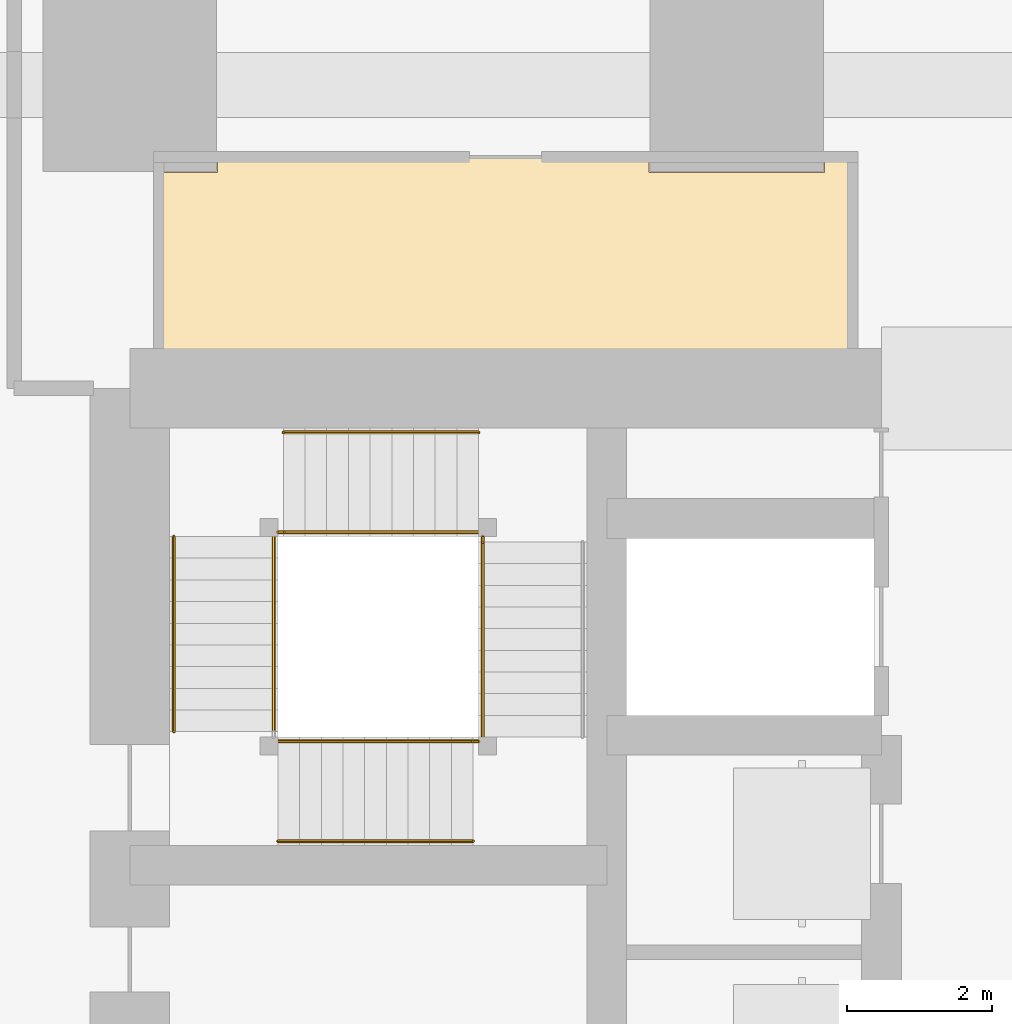
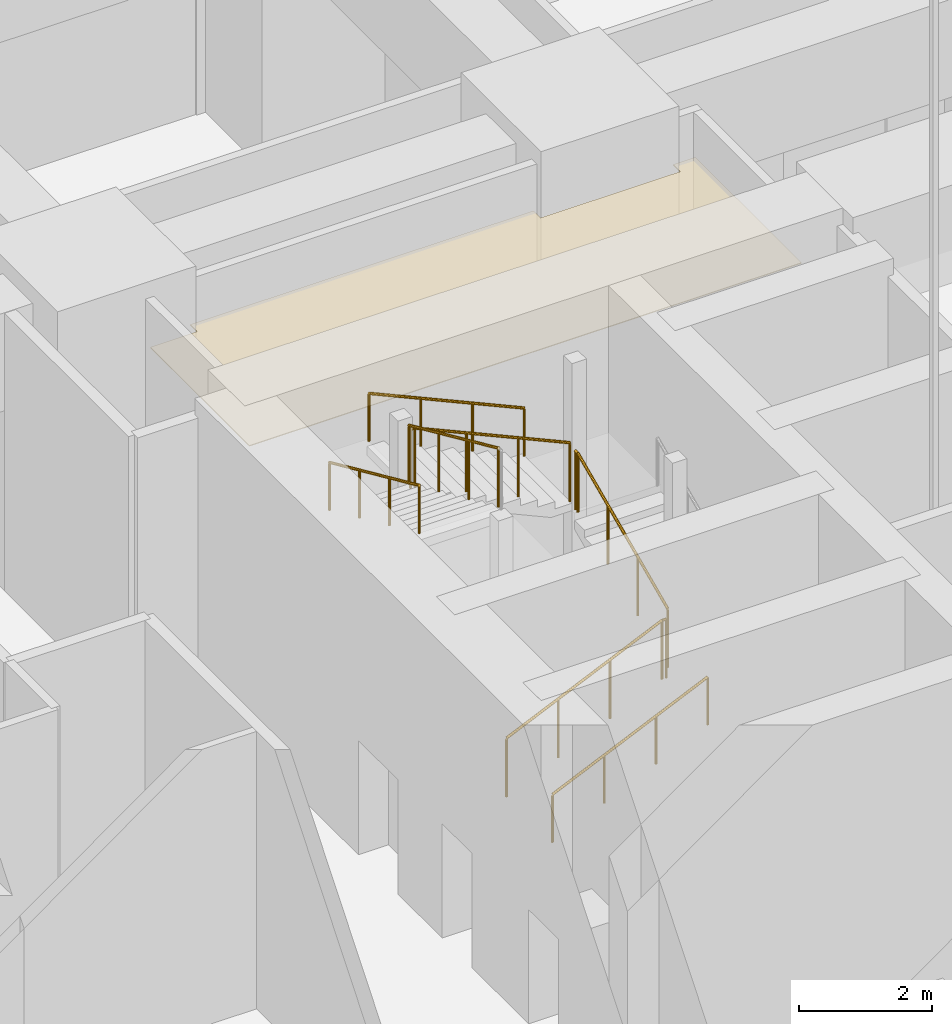
# One storey, part 51 of 81: 10 railings, 1 covering.
"""IFC4 building model written with IfcOpenShell, lengths in metres."""

from ifc_helpers import new_model, si_unit, direction, frame, origin, origin_2d, place, context, subcontext, project, spatial, polyline, circle, outline, extrude, material, layer, layer_set, type_object, element, save


model = new_model("IFC4")

# Units and contexts
model_context = context("Model", 3, precision=1e-05, world=origin(), true_north=direction((0.0, 1.0)))
body_context = subcontext(model_context, "Body", "Model", "MODEL_VIEW")
ifc_project = project(units=[si_unit("LENGTHUNIT", "METRE"), si_unit("AREAUNIT", "SQUARE_METRE"), si_unit("VOLUMEUNIT", "CUBIC_METRE"), si_unit("PLANEANGLEUNIT", "RADIAN"), si_unit("MASSUNIT", "GRAM", prefix="KILO")], contexts=[model_context])

# Site, building, storey
site_placement = place(None, origin())
site = spatial("IfcSite", under=ifc_project, at=site_placement, CompositionType="ELEMENT")
building_placement = place(site_placement, origin())
building = spatial("IfcBuilding", under=site, at=building_placement, Name="Rekha Terrace Tower", CompositionType="ELEMENT")
storey_placement = place(building_placement, origin())
storey = spatial("IfcBuildingStorey", under=building, at=storey_placement, Name="L00", CompositionType="ELEMENT", Elevation=0.0)

# Covering
ifc_material_1 = material(Name="Fibre cement board", Category="finish")
ifc_layer = layer(ifc_material_1, 0.014892578125)
ifc_layer_set = layer_set([ifc_layer], Name="Fibre cement board")
covering_type = type_object("IfcCoveringType", Name="CL2 moisture-resistant board ceiling", PredefinedType="CEILING", material=ifc_layer_set)
covering_placement = place(storey_placement, frame((0.0, 0.0, 4.18505859375)))
element("IfcCovering", 1, at=covering_placement, inside=storey, type_object=covering_type, Name="Ceiling L00-WCF2", PredefinedType="CEILING", context=body_context, shape_type="SweptSolid", body=[
    extrude(outline(polyline([(26.4150390625, 49.18505859375), (25.60009765625, 49.18505859375), (25.60009765625, 46.199951171875), (35.199951171875, 46.199951171875), (35.199951171875, 49.39990234375), (34.81494140625, 49.39990234375), (34.81494140625, 49.18505859375), (32.385009765625, 49.18505859375), (32.385009765625, 49.39990234375), (26.4150390625, 49.39990234375), (26.4150390625, 49.18505859375)])), origin(), (0.0, 0.0, 1.0), 0.014892578125),
])

# Railings
ifc_material_2 = material(Name="Stainless steel balustrade", Category="steel")
railing_type_1 = type_object("IfcRailingType", Name="GR1 1100 stair guard", PredefinedType="GUARDRAIL", material=ifc_material_2)
railing_1_placement = place(storey_placement, frame((27.25, 41.31494140625, 0.135009765625)))
element("IfcRailing", 2, at=railing_1_placement, inside=storey, type_object=railing_type_1, Name="Guard ST4 L00 flight 1", PredefinedType="GUARDRAIL", context=body_context, shape_type="SweptSolid", body=[
    extrude(circle(Radius=0.02392578125, at=origin_2d()), frame((0.0, 0.0, 1.076171875), z_axis=(0.911907618724, 0.0, 0.410395534713), x_axis=(0.0, 1.0, 0.0)), (0.0, 0.0, 1.0), 2.960693359375),
    extrude(circle(Radius=0.02099609375, at=origin_2d()), origin(), (0.0, 0.0, 1.0), 1.052001953125),
    extrude(circle(Radius=0.02099609375, at=origin_2d()), frame((0.89990234375, 0.0, 0.405029296875)), (0.0, 0.0, 1.0), 1.052001953125),
    extrude(circle(Radius=0.02099609375, at=origin_2d()), frame((1.800048828125, 0.0, 0.81005859375)), (0.0, 0.0, 1.0), 1.052001953125),
    extrude(circle(Radius=0.02099609375, at=origin_2d()), frame((2.699951171875, 0.0, 1.215087890625)), (0.0, 0.0, 1.0), 1.052001953125),
])
railing_2_placement = place(storey_placement, frame((30.0849609375, 41.375, 1.485107421875)))
element("IfcRailing", 3, at=railing_2_placement, inside=storey, type_object=railing_type_1, Name="Guard ST4 L00 flight 2", PredefinedType="GUARDRAIL", context=body_context, shape_type="SweptSolid", body=[
    extrude(circle(Radius=0.02392578125, at=origin_2d()), frame((0.0, 0.0, 1.076171875), z_axis=(0.0, 0.91193847666, 0.410326960834), x_axis=(-1.0, 0.0, 0.0)), (0.0, 0.0, 1.0), 2.960693359375),
    extrude(circle(Radius=0.02099609375, at=origin_2d()), origin(), (0.0, 0.0, 1.0), 1.052001953125),
    extrude(circle(Radius=0.02099609375, at=origin_2d()), frame((0.0, 0.89990234375, 0.405029296875)), (0.0, 0.0, 1.0), 1.052001953125),
    extrude(circle(Radius=0.02099609375, at=origin_2d()), frame((0.0, 1.800048828125, 0.809814453125)), (0.0, 0.0, 1.0), 1.052001953125),
    extrude(circle(Radius=0.02099609375, at=origin_2d()), frame((0.0, 2.699951171875, 1.21484375)), (0.0, 0.0, 1.0), 1.052001953125),
])
railing_3_placement = place(storey_placement, frame((30.02490234375, 44.2099609375, 2.8349609375)))
element("IfcRailing", 4, at=railing_3_placement, inside=storey, type_object=railing_type_1, Name="Guard ST4 L00 flight 3", PredefinedType="GUARDRAIL", context=body_context, shape_type="SweptSolid", body=[
    extrude(circle(Radius=0.02392578125, at=origin_2d()), frame((0.0, 0.0, 1.076171875), z_axis=(-0.911907618724, 0.0, 0.410395534713), x_axis=(0.0, -1.0, 0.0)), (0.0, 0.0, 1.0), 2.960693359375),
    extrude(circle(Radius=0.02099609375, at=origin_2d()), origin(), (0.0, 0.0, 1.0), 1.052001953125),
    extrude(circle(Radius=0.02099609375, at=origin_2d()), frame((-0.89990234375, 0.0, 0.405029296875)), (0.0, 0.0, 1.0), 1.052001953125),
    extrude(circle(Radius=0.02099609375, at=origin_2d()), frame((-1.800048828125, 0.0, 0.81005859375)), (0.0, 0.0, 1.0), 1.052001953125),
    extrude(circle(Radius=0.02099609375, at=origin_2d()), frame((-2.699951171875, 0.0, 1.215087890625)), (0.0, 0.0, 1.0), 1.052001953125),
])
railing_4_placement = place(storey_placement, frame((27.18994140625, 44.14990234375, 4.18505859375)))
element("IfcRailing", 5, at=railing_4_placement, inside=storey, type_object=railing_type_1, Name="Guard ST4 L00 flight 4", PredefinedType="GUARDRAIL", context=body_context, shape_type="SweptSolid", body=[
    extrude(circle(Radius=0.02392578125, at=origin_2d()), frame((0.0, 0.0, 1.076171875), z_axis=(0.0, -0.91193847666, 0.410326960834), x_axis=(1.0, 0.0, 0.0)), (0.0, 0.0, 1.0), 2.960693359375),
    extrude(circle(Radius=0.02099609375, at=origin_2d()), origin(), (0.0, 0.0, 1.0), 1.052001953125),
    extrude(circle(Radius=0.02099609375, at=origin_2d()), frame((0.0, -0.89990234375, 0.405029296875)), (0.0, 0.0, 1.0), 1.052001953125),
    extrude(circle(Radius=0.02099609375, at=origin_2d()), frame((0.0, -1.800048828125, 0.809814453125)), (0.0, 0.0, 1.0), 1.052001953125),
    extrude(circle(Radius=0.02099609375, at=origin_2d()), frame((0.0, -2.699951171875, 1.21484375)), (0.0, 0.0, 1.0), 1.052001953125),
])
railing_5_placement = place(storey_placement, frame((29.949951171875, 41.31494140625, 1.35009765625)))
element("IfcRailing", 6, at=railing_5_placement, inside=storey, type_object=railing_type_1, Name="Guard ST4 L00 landing 1", PredefinedType="GUARDRAIL", context=body_context, shape_type="SweptSolid", body=[
    extrude(circle(Radius=0.02392578125, at=origin_2d()), frame((0.0, 0.0, 1.076171875), z_axis=(1.0, 0.0, 0.0), x_axis=(0.0, 1.0, 0.0)), (0.0, 0.0, 1.0), 0.074951171875),
    extrude(circle(Radius=0.02099609375, at=origin_2d()), origin(), (0.0, 0.0, 1.0), 1.052001953125),
    extrude(circle(Radius=0.02099609375, at=origin_2d()), frame((0.074951171875, 0.0, 0.0)), (0.0, 0.0, 1.0), 1.052001953125),
])
railing_6_placement = place(storey_placement, frame((30.0849609375, 44.074951171875, 2.699951171875)))
element("IfcRailing", 7, at=railing_6_placement, inside=storey, type_object=railing_type_1, Name="Guard ST4 L00 landing 2", PredefinedType="GUARDRAIL", context=body_context, shape_type="SweptSolid", body=[
    extrude(circle(Radius=0.02392578125, at=origin_2d()), frame((0.0, 0.0, 1.076171875), z_axis=(0.0, 1.0, 0.0), x_axis=(-1.0, 0.0, 0.0)), (0.0, 0.0, 1.0), 0.074951171875),
    extrude(circle(Radius=0.02099609375, at=origin_2d()), origin(), (0.0, 0.0, 1.0), 1.052001953125),
    extrude(circle(Radius=0.02099609375, at=origin_2d()), frame((0.0, 0.074951171875, 0.0)), (0.0, 0.0, 1.0), 1.052001953125),
])
railing_7_placement = place(storey_placement, frame((27.25, 44.2099609375, 4.050048828125)))
element("IfcRailing", 8, at=railing_7_placement, inside=storey, type_object=railing_type_1, Name="Guard ST4 L00 landing 3", PredefinedType="GUARDRAIL", context=body_context, shape_type="SweptSolid", body=[
    extrude(circle(Radius=0.02392578125, at=origin_2d()), frame((0.0, 0.0, 1.076171875), z_axis=(1.0, 0.0, 0.0), x_axis=(0.0, 1.0, 0.0)), (0.0, 0.0, 1.0), 0.074951171875),
    extrude(circle(Radius=0.02099609375, at=origin_2d()), origin(), (0.0, 0.0, 1.0), 1.052001953125),
    extrude(circle(Radius=0.02099609375, at=origin_2d()), frame((0.074951171875, 0.0, 0.0)), (0.0, 0.0, 1.0), 1.052001953125),
])
ifc_material_3 = material(Name="Stainless steel tube", Category="steel")
railing_type_2 = type_object("IfcRailingType", Name="HR1 900 stair handrail", PredefinedType="HANDRAIL", material=ifc_material_3)
railing_8_placement = place(storey_placement, frame((27.25, 39.93505859375, 0.135009765625)))
element("IfcRailing", 9, at=railing_8_placement, inside=storey, type_object=railing_type_2, Name="Handrail ST4 L00 flight 1", PredefinedType="HANDRAIL", context=body_context, shape_type="SweptSolid", body=[
    extrude(circle(Radius=0.02392578125, at=origin_2d()), frame((0.0, 0.0, 0.8759765625), z_axis=(0.911907618724, 0.0, 0.410395534713), x_axis=(0.0, 1.0, 0.0)), (0.0, 0.0, 1.0), 2.960693359375),
    extrude(circle(Radius=0.02099609375, at=origin_2d()), origin(), (0.0, 0.0, 1.0), 0.851806640625),
    extrude(circle(Radius=0.02099609375, at=origin_2d()), frame((0.89990234375, 0.0, 0.405029296875)), (0.0, 0.0, 1.0), 0.851806640625),
    extrude(circle(Radius=0.02099609375, at=origin_2d()), frame((1.800048828125, 0.0, 0.81005859375)), (0.0, 0.0, 1.0), 0.851806640625),
    extrude(circle(Radius=0.02099609375, at=origin_2d()), frame((2.699951171875, 0.0, 1.215087890625)), (0.0, 0.0, 1.0), 0.851806640625),
])
railing_9_placement = place(storey_placement, frame((30.02490234375, 45.590087890625, 2.8349609375)))
element("IfcRailing", 10, at=railing_9_placement, inside=storey, type_object=railing_type_2, Name="Handrail ST4 L00 flight 3", PredefinedType="HANDRAIL", context=body_context, shape_type="SweptSolid", body=[
    extrude(circle(Radius=0.02392578125, at=origin_2d()), frame((0.0, 0.0, 0.8759765625), z_axis=(-0.911907618724, 0.0, 0.410395534713), x_axis=(0.0, -1.0, 0.0)), (0.0, 0.0, 1.0), 2.960693359375),
    extrude(circle(Radius=0.02099609375, at=origin_2d()), origin(), (0.0, 0.0, 1.0), 0.851806640625),
    extrude(circle(Radius=0.02099609375, at=origin_2d()), frame((-0.89990234375, 0.0, 0.405029296875)), (0.0, 0.0, 1.0), 0.851806640625),
    extrude(circle(Radius=0.02099609375, at=origin_2d()), frame((-1.800048828125, 0.0, 0.81005859375)), (0.0, 0.0, 1.0), 0.851806640625),
    extrude(circle(Radius=0.02099609375, at=origin_2d()), frame((-2.699951171875, 0.0, 1.215087890625)), (0.0, 0.0, 1.0), 0.851806640625),
])
railing_10_placement = place(storey_placement, frame((25.81005859375, 44.14990234375, 4.18505859375)))
element("IfcRailing", 11, at=railing_10_placement, inside=storey, type_object=railing_type_2, Name="Handrail ST4 L00 flight 4", PredefinedType="HANDRAIL", context=body_context, shape_type="SweptSolid", body=[
    extrude(circle(Radius=0.02392578125, at=origin_2d()), frame((0.0, 0.0, 0.8759765625), z_axis=(0.0, -0.91193847666, 0.410326960834), x_axis=(1.0, 0.0, 0.0)), (0.0, 0.0, 1.0), 2.960693359375),
    extrude(circle(Radius=0.02099609375, at=origin_2d()), origin(), (0.0, 0.0, 1.0), 0.851806640625),
    extrude(circle(Radius=0.02099609375, at=origin_2d()), frame((0.0, -0.89990234375, 0.405029296875)), (0.0, 0.0, 1.0), 0.851806640625),
    extrude(circle(Radius=0.02099609375, at=origin_2d()), frame((0.0, -1.800048828125, 0.809814453125)), (0.0, 0.0, 1.0), 0.851806640625),
    extrude(circle(Radius=0.02099609375, at=origin_2d()), frame((0.0, -2.699951171875, 1.21484375)), (0.0, 0.0, 1.0), 0.851806640625),
])

save(model, "model.ifc")
